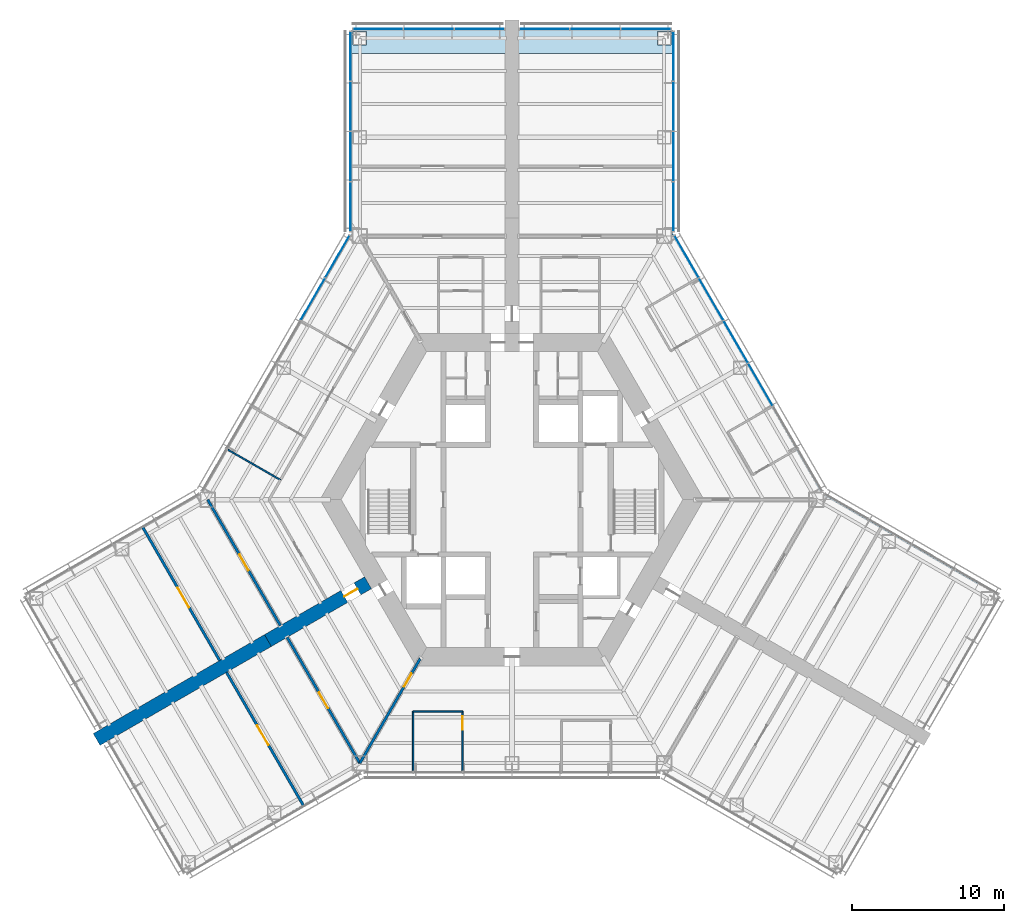
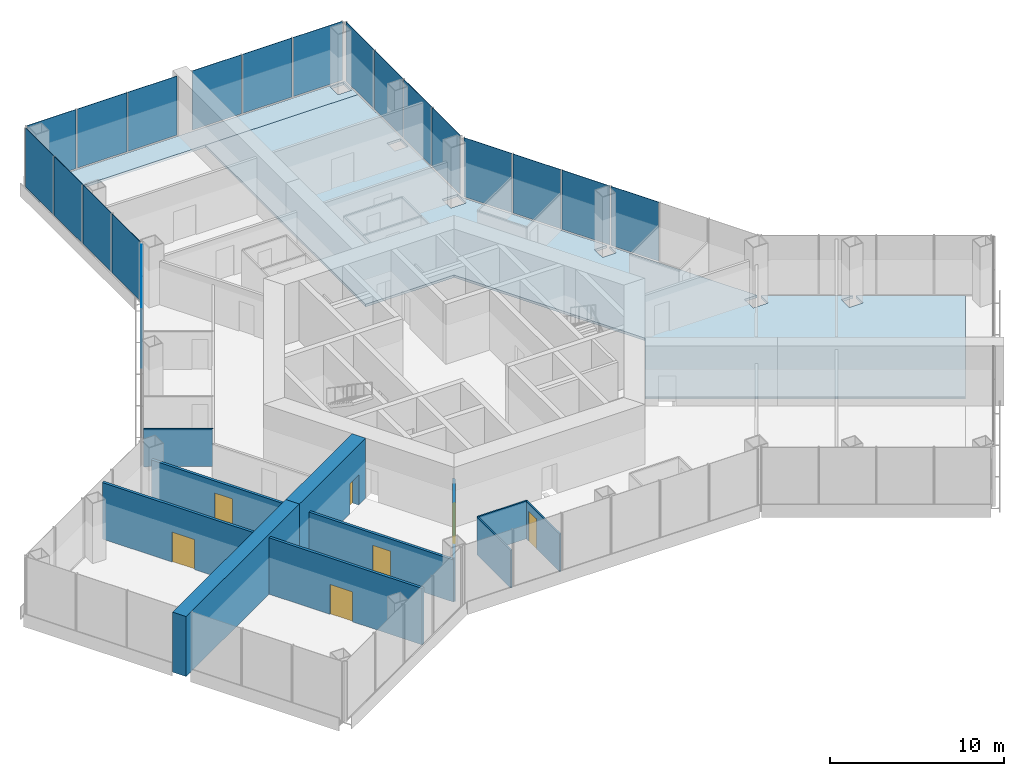
# One storey, part 10 of 17: 20 plates, 11 walls, 7 doors, 2 slabs, 7 openings, 6 elements without a shape of their own.
"""IFC4 building model written with IfcOpenShell, lengths in metres."""

from ifc_helpers import new_model, si_unit, direction, frame, frame_2d, origin, origin_2d, place, context, subcontext, project, spatial, polyline, rectangle, outline, extrude, material, layer, layer_set, type_object, element, fill, aggregate, save


model = new_model("IFC4")

# Units and contexts
model_context = context("Model", 3, precision=1e-05, world=origin(), true_north=direction((0.0, 1.0)))
body_context = subcontext(model_context, "Body", "Model", "MODEL_VIEW")
ifc_project = project(units=[si_unit("LENGTHUNIT", "METRE"), si_unit("AREAUNIT", "SQUARE_METRE"), si_unit("VOLUMEUNIT", "CUBIC_METRE"), si_unit("PLANEANGLEUNIT", "RADIAN"), si_unit("MASSUNIT", "GRAM", prefix="KILO")], contexts=[model_context])

# Site, building, storey
site_placement = place(None, origin())
site = spatial("IfcSite", under=ifc_project, at=site_placement, CompositionType="ELEMENT")
building_placement = place(site_placement, origin())
building = spatial("IfcBuilding", under=site, at=building_placement, Name="Kasaneha Research Tower", CompositionType="ELEMENT")
storey_placement = place(building_placement, frame((0.0, 0.0, 47.800048828125)))
storey = spatial("IfcBuildingStorey", under=building, at=storey_placement, Name="L12", CompositionType="ELEMENT", Elevation=47.800048828125)

# Curtain wall, plates
ifc_material_1 = material(Name="Glass and aluminium", Category="aluminium")
curtain_wall_type = type_object("IfcCurtainWallType", Name="Dry laboratory curtain wall", PredefinedType="USERDEFINED", material=ifc_material_1)
curtain_wall_1_placement = place(storey_placement, origin())
curtain_wall_1 = element("IfcCurtainWall", 1, at=curtain_wall_1_placement, inside=storey, type_object=curtain_wall_type, Name="CW-L2 L12 run 07a", ObjectType="UNITISED CURTAIN WALL", PredefinedType="USERDEFINED")
ifc_material_2 = material(Name="Laminated double glazing", Category="glass")
ifc_layer_1 = layer(ifc_material_2, 0.028076171875)
ifc_layer_set_1 = layer_set([ifc_layer_1], Name="CW-L2 glazed panel")
plate_type = type_object("IfcPlateType", Name="CW-L2 glazed panel", PredefinedType="CURTAIN_PANEL", material=ifc_layer_set_1)
plate_1_placement = place(storey_placement, frame((16.331298828125, 7.554443359375, 0.06494140625), z_axis=(0.0, 0.0, 1.0), x_axis=(-0.49999996188, 0.866025425793, 0.0)))
plate_1 = element("IfcPlate", 2, at=plate_1_placement, type_object=plate_type, Name="CW-L2 panel 3", PredefinedType="CURTAIN_PANEL", context=body_context, shape_type="SweptSolid", body=[
    extrude(rectangle(XDim=3.181396484375, YDim=0.028076171875, at=origin_2d()), origin(), (0.0, 0.0, 1.0), 4.135009765625),
])
plate_2_placement = place(storey_placement, frame((14.7080078125, 10.365966796875, 0.06494140625), z_axis=(0.0, 0.0, 1.0), x_axis=(-0.49999996188, 0.866025425793, 0.0)))
plate_2 = element("IfcPlate", 3, at=plate_2_placement, type_object=plate_type, Name="CW-L2 panel 4", PredefinedType="CURTAIN_PANEL", context=body_context, shape_type="SweptSolid", body=[
    extrude(rectangle(XDim=3.181396484375, YDim=0.028076171875, at=origin_2d()), origin(), (0.0, 0.0, 1.0), 4.135009765625),
])
plate_3_placement = place(storey_placement, frame((13.084716796875, 13.177490234375, 0.06494140625), z_axis=(0.0, 0.0, 1.0), x_axis=(-0.49999996188, 0.866025425793, 0.0)))
plate_3 = element("IfcPlate", 4, at=plate_3_placement, type_object=plate_type, Name="CW-L2 panel 5", PredefinedType="CURTAIN_PANEL", context=body_context, shape_type="SweptSolid", body=[
    extrude(rectangle(XDim=3.181396484375, YDim=0.028076171875, at=origin_2d()), origin(), (0.0, 0.0, 1.0), 4.135009765625),
])
plate_4_placement = place(storey_placement, frame((11.4697265625, 15.974853515625, 0.06494140625), z_axis=(0.0, 0.0, 1.0), x_axis=(-0.49999996188, 0.866025425793, 0.0)))
plate_4 = element("IfcPlate", 5, at=plate_4_placement, type_object=plate_type, Name="CW-L2 panel 6", PredefinedType="CURTAIN_PANEL", context=body_context, shape_type="SweptSolid", body=[
    extrude(rectangle(XDim=3.14892578125, YDim=0.028076171875, at=origin_2d()), origin(), (0.0, 0.0, 1.0), 4.135009765625),
])
aggregate(curtain_wall_1, [plate_1, plate_2, plate_3, plate_4])

curtain_wall_2_placement = place(storey_placement, origin())
curtain_wall_2 = element("IfcCurtainWall", 6, at=curtain_wall_2_placement, inside=storey, type_object=curtain_wall_type, Name="CW-L2 L12 run 08a", ObjectType="UNITISED CURTAIN WALL", PredefinedType="USERDEFINED")
plate_5_placement = place(storey_placement, frame((10.60009765625, 19.25244140625, 0.06494140625), z_axis=(0.0, 0.0, 1.0), x_axis=(0.0, 1.0, 0.0)))
plate_5 = element("IfcPlate", 7, at=plate_5_placement, type_object=plate_type, Name="CW-L2 panel 1", PredefinedType="CURTAIN_PANEL", context=body_context, shape_type="SweptSolid", body=[
    extrude(rectangle(XDim=3.21240234375, YDim=0.028076171875, at=origin_2d()), origin(), (0.0, 0.0, 1.0), 4.135009765625),
])
plate_6_placement = place(storey_placement, frame((10.60009765625, 22.5458984375, 0.06494140625), z_axis=(0.0, 0.0, 1.0), x_axis=(0.0, 1.0, 0.0)))
plate_6 = element("IfcPlate", 8, at=plate_6_placement, type_object=plate_type, Name="CW-L2 panel 2", PredefinedType="CURTAIN_PANEL", context=body_context, shape_type="SweptSolid", body=[
    extrude(rectangle(XDim=3.244873046875, YDim=0.028076171875, at=origin_2d()), origin(), (0.0, 0.0, 1.0), 4.135009765625),
])
plate_7_placement = place(storey_placement, frame((10.60009765625, 25.855712890625, 0.06494140625), z_axis=(0.0, 0.0, 1.0), x_axis=(0.0, 1.0, 0.0)))
plate_7 = element("IfcPlate", 9, at=plate_7_placement, type_object=plate_type, Name="CW-L2 panel 3", PredefinedType="CURTAIN_PANEL", context=body_context, shape_type="SweptSolid", body=[
    extrude(rectangle(XDim=3.244873046875, YDim=0.028076171875, at=origin_2d()), origin(), (0.0, 0.0, 1.0), 4.135009765625),
])
plate_8_placement = place(storey_placement, frame((10.60009765625, 29.1494140625, 0.06494140625), z_axis=(0.0, 0.0, 1.0), x_axis=(0.0, 1.0, 0.0)))
plate_8 = element("IfcPlate", 10, at=plate_8_placement, type_object=plate_type, Name="CW-L2 panel 4", PredefinedType="CURTAIN_PANEL", context=body_context, shape_type="SweptSolid", body=[
    extrude(rectangle(XDim=3.21240234375, YDim=0.028076171875, at=origin_2d()), origin(), (0.0, 0.0, 1.0), 4.135009765625),
])
aggregate(curtain_wall_2, [plate_5, plate_6, plate_7, plate_8])

curtain_wall_3_placement = place(storey_placement, origin())
curtain_wall_3 = element("IfcCurtainWall", 11, at=curtain_wall_3_placement, inside=storey, type_object=curtain_wall_type, Name="CW-L2 L12 run 09a", ObjectType="UNITISED CURTAIN WALL", PredefinedType="USERDEFINED")
plate_9_placement = place(storey_placement, frame((8.808837890625, 30.92041015625, 0.06494140625), z_axis=(0.0, 0.0, 1.0), x_axis=(-1.0, 0.0, 0.0)))
plate_9 = element("IfcPlate", 12, at=plate_9_placement, type_object=plate_type, Name="CW-L2 panel 1", PredefinedType="CURTAIN_PANEL", context=body_context, shape_type="SweptSolid", body=[
    extrude(rectangle(XDim=3.25244140625, YDim=0.028076171875, at=origin_2d()), origin(), (0.0, 0.0, 1.0), 4.135009765625),
])
plate_10_placement = place(storey_placement, frame((5.47509765625, 30.92041015625, 0.06494140625), z_axis=(0.0, 0.0, 1.0), x_axis=(-1.0, 0.0, 0.0)))
plate_10 = element("IfcPlate", 13, at=plate_10_placement, type_object=plate_type, Name="CW-L2 panel 2", PredefinedType="CURTAIN_PANEL", context=body_context, shape_type="SweptSolid", body=[
    extrude(rectangle(XDim=3.284912109375, YDim=0.028076171875, at=origin_2d()), origin(), (0.0, 0.0, 1.0), 4.135009765625),
])
plate_11_placement = place(storey_placement, frame((2.141357421875, 30.92041015625, 0.06494140625), z_axis=(0.0, 0.0, 1.0), x_axis=(-1.0, 0.0, 0.0)))
plate_11 = element("IfcPlate", 14, at=plate_11_placement, type_object=plate_type, Name="CW-L2 panel 3", PredefinedType="CURTAIN_PANEL", context=body_context, shape_type="SweptSolid", body=[
    extrude(rectangle(XDim=3.25244140625, YDim=0.028076171875, at=origin_2d()), origin(), (0.0, 0.0, 1.0), 4.135009765625),
])
aggregate(curtain_wall_3, [plate_9, plate_10, plate_11])

curtain_wall_4_placement = place(storey_placement, origin())
curtain_wall_4 = element("IfcCurtainWall", 15, at=curtain_wall_4_placement, inside=storey, type_object=curtain_wall_type, Name="CW-L2 L12 run 10a", ObjectType="UNITISED CURTAIN WALL", PredefinedType="USERDEFINED")
plate_12_placement = place(storey_placement, frame((-2.141357421875, 30.92041015625, 0.06494140625), z_axis=(0.0, 0.0, 1.0), x_axis=(-1.0, 0.0, 0.0)))
plate_12 = element("IfcPlate", 16, at=plate_12_placement, type_object=plate_type, Name="CW-L2 panel 1", PredefinedType="CURTAIN_PANEL", context=body_context, shape_type="SweptSolid", body=[
    extrude(rectangle(XDim=3.25244140625, YDim=0.028076171875, at=origin_2d()), origin(), (0.0, 0.0, 1.0), 4.135009765625),
])
plate_13_placement = place(storey_placement, frame((-5.47509765625, 30.92041015625, 0.06494140625), z_axis=(0.0, 0.0, 1.0), x_axis=(-1.0, 0.0, 0.0)))
plate_13 = element("IfcPlate", 17, at=plate_13_placement, type_object=plate_type, Name="CW-L2 panel 2", PredefinedType="CURTAIN_PANEL", context=body_context, shape_type="SweptSolid", body=[
    extrude(rectangle(XDim=3.284912109375, YDim=0.028076171875, at=origin_2d()), origin(), (0.0, 0.0, 1.0), 4.135009765625),
])
plate_14_placement = place(storey_placement, frame((-8.808837890625, 30.92041015625, 0.06494140625), z_axis=(0.0, 0.0, 1.0), x_axis=(-1.0, 0.0, 0.0)))
plate_14 = element("IfcPlate", 18, at=plate_14_placement, type_object=plate_type, Name="CW-L2 panel 3", PredefinedType="CURTAIN_PANEL", context=body_context, shape_type="SweptSolid", body=[
    extrude(rectangle(XDim=3.25244140625, YDim=0.028076171875, at=origin_2d()), origin(), (0.0, 0.0, 1.0), 4.135009765625),
])
aggregate(curtain_wall_4, [plate_12, plate_13, plate_14])

curtain_wall_5_placement = place(storey_placement, origin())
curtain_wall_5 = element("IfcCurtainWall", 19, at=curtain_wall_5_placement, inside=storey, type_object=curtain_wall_type, Name="CW-L2 L12 run 11a", ObjectType="UNITISED CURTAIN WALL", PredefinedType="USERDEFINED")
plate_15_placement = place(storey_placement, frame((-10.60009765625, 29.1494140625, 0.06494140625), z_axis=(0.0, 0.0, 1.0), x_axis=(0.0, -1.0, 0.0)))
plate_15 = element("IfcPlate", 20, at=plate_15_placement, type_object=plate_type, Name="CW-L2 panel 1", PredefinedType="CURTAIN_PANEL", context=body_context, shape_type="SweptSolid", body=[
    extrude(rectangle(XDim=3.21240234375, YDim=0.028076171875, at=origin_2d()), origin(), (0.0, 0.0, 1.0), 4.135009765625),
])
plate_16_placement = place(storey_placement, frame((-10.60009765625, 25.855712890625, 0.06494140625), z_axis=(0.0, 0.0, 1.0), x_axis=(0.0, -1.0, 0.0)))
plate_16 = element("IfcPlate", 21, at=plate_16_placement, type_object=plate_type, Name="CW-L2 panel 2", PredefinedType="CURTAIN_PANEL", context=body_context, shape_type="SweptSolid", body=[
    extrude(rectangle(XDim=3.244873046875, YDim=0.028076171875, at=origin_2d()), origin(), (0.0, 0.0, 1.0), 4.135009765625),
])
plate_17_placement = place(storey_placement, frame((-10.60009765625, 22.5458984375, 0.06494140625), z_axis=(0.0, 0.0, 1.0), x_axis=(0.0, -1.0, 0.0)))
plate_17 = element("IfcPlate", 22, at=plate_17_placement, type_object=plate_type, Name="CW-L2 panel 3", PredefinedType="CURTAIN_PANEL", context=body_context, shape_type="SweptSolid", body=[
    extrude(rectangle(XDim=3.244873046875, YDim=0.028076171875, at=origin_2d()), origin(), (0.0, 0.0, 1.0), 4.135009765625),
])
plate_18_placement = place(storey_placement, frame((-10.60009765625, 19.25244140625, 0.06494140625), z_axis=(0.0, 0.0, 1.0), x_axis=(0.0, -1.0, 0.0)))
plate_18 = element("IfcPlate", 23, at=plate_18_placement, type_object=plate_type, Name="CW-L2 panel 4", PredefinedType="CURTAIN_PANEL", context=body_context, shape_type="SweptSolid", body=[
    extrude(rectangle(XDim=3.21240234375, YDim=0.028076171875, at=origin_2d()), origin(), (0.0, 0.0, 1.0), 4.135009765625),
])
aggregate(curtain_wall_5, [plate_15, plate_16, plate_17, plate_18])

curtain_wall_6_placement = place(storey_placement, origin())
curtain_wall_6 = element("IfcCurtainWall", 24, at=curtain_wall_6_placement, inside=storey, type_object=curtain_wall_type, Name="CW-L2 L12 run 12a", ObjectType="UNITISED CURTAIN WALL", PredefinedType="USERDEFINED")
plate_19_placement = place(storey_placement, frame((-11.4697265625, 15.974853515625, 0.06494140625), z_axis=(0.0, 0.0, 1.0), x_axis=(-0.49999996188, -0.866025425793, 0.0)))
plate_19 = element("IfcPlate", 25, at=plate_19_placement, type_object=plate_type, Name="CW-L2 panel 1", PredefinedType="CURTAIN_PANEL", context=body_context, shape_type="SweptSolid", body=[
    extrude(rectangle(XDim=3.14892578125, YDim=0.028076171875, at=origin_2d()), origin(), (0.0, 0.0, 1.0), 4.135009765625),
])
plate_20_placement = place(storey_placement, frame((-13.084716796875, 13.177490234375, 0.06494140625), z_axis=(0.0, 0.0, 1.0), x_axis=(-0.49999996188, -0.866025425793, 0.0)))
plate_20 = element("IfcPlate", 26, at=plate_20_placement, type_object=plate_type, Name="CW-L2 panel 2", PredefinedType="CURTAIN_PANEL", context=body_context, shape_type="SweptSolid", body=[
    extrude(rectangle(XDim=3.181396484375, YDim=0.028076171875, at=origin_2d()), origin(), (0.0, 0.0, 1.0), 4.135009765625),
])
aggregate(curtain_wall_6, [plate_19, plate_20])

# Slabs
ifc_material_3 = material(Name="Concrete Fc24", Category="concrete")
ifc_layer_2 = layer(ifc_material_3, 0.169921875)
ifc_layer_set_2 = layer_set([ifc_layer_2], Name="Floor slab 170")
slab_type = type_object("IfcSlabType", Name="Floor slab 170", PredefinedType="FLOOR", material=ifc_layer_set_2)
slab_1_placement = place(storey_placement, frame((0.0, 0.0, -0.170166015625)))
element("IfcSlab", 27, at=slab_1_placement, inside=storey, type_object=slab_type, Name="Floor slab L12 3", PredefinedType="FLOOR", context=body_context, shape_type="SweptSolid", body=[
    extrude(outline(polyline([(10.550048828125, 29.310546875), (0.449951171875, 29.310546875), (0.449951171875, 29.320556640625), (-0.449951171875, 29.320556640625), (-0.449951171875, 29.310546875), (-10.550048828125, 29.310546875), (-10.550048828125, 30.87060546875), (10.550048828125, 30.87060546875), (10.550048828125, 29.310546875)]), holes=[polyline([(-9.550048828125, 29.87060546875), (-9.550048828125, 30.7705078125), (-10.449951171875, 30.7705078125), (-10.449951171875, 29.87060546875), (-9.550048828125, 29.87060546875)]), polyline([(9.550048828125, 29.87060546875), (10.449951171875, 29.87060546875), (10.449951171875, 30.7705078125), (9.550048828125, 30.7705078125), (9.550048828125, 29.87060546875)])]), origin(), (0.0, 0.0, 1.0), 0.170166015625),
])
slab_2_placement = place(storey_placement, frame((0.0, 0.0, -0.170166015625)))
element("IfcSlab", 28, at=slab_2_placement, inside=storey, type_object=slab_type, Name="Floor slab L12 5", PredefinedType="FLOOR", context=body_context, shape_type="SweptSolid", body=[
    extrude(outline(polyline([(9.686279296875, -5.07275390625), (12.614990234375, 0.0), (6.3076171875, 10.925048828125), (0.449951171875, 10.925048828125), (0.449951171875, 29.310546875), (10.550048828125, 29.310546875), (10.550048828125, 17.4677734375), (15.375244140625, 9.1103515625), (14.550048828125, 9.1103515625), (14.550048828125, 8.210205078125), (15.449951171875, 8.210205078125), (15.449951171875, 8.980712890625), (20.346435546875, 0.5), (19.5, 0.5), (19.5, -0.5), (20.5, -0.5), (20.5, 0.346435546875), (25.083740234375, -2.300048828125), (24.313232421875, -2.300048828125), (24.313232421875, -3.199951171875), (25.213134765625, -3.199951171875), (25.213134765625, -2.374755859375), (30.65869140625, -5.518798828125), (25.608642578125, -14.265625), (9.686279296875, -5.07275390625)]), holes=[polyline([(9.5, 16.820556640625), (10.5, 16.820556640625), (10.5, 17.820556640625), (9.5, 17.820556640625), (9.5, 16.820556640625)]), polyline([(9.550048828125, 23.37060546875), (10.449951171875, 23.37060546875), (10.449951171875, 24.2705078125), (9.550048828125, 24.2705078125), (9.550048828125, 23.37060546875)])]), origin(), (0.0, 0.0, 1.0), 0.170166015625),
])

# Wall, opening, door
ifc_material_4 = material(Name="Gypsum board on steel studs, two layers each side", Category="steel")
ifc_layer_3 = layer(ifc_material_4, 0.175048828125)
ifc_layer_set_3 = layer_set([ifc_layer_3], Name="Laboratory fire partition 175")
wall_type_1 = type_object("IfcWallType", Name="Laboratory fire partition 175", PredefinedType="PARTITIONING", material=ifc_layer_set_3)
wall_1_placement = place(storey_placement, frame((-15.22509765625, -8.2705078125, 0.0), z_axis=(0.0, 0.0, 1.0), x_axis=(-0.499993908199, 0.866028920859, 0.0)))
wall_1 = element("IfcWall", 29, at=wall_1_placement, inside=storey, type_object=wall_type_1, Name="Laboratory fire partition LABB-N L12", PredefinedType="PARTITIONING", context=body_context, shape_type="SweptSolid", body=[
    extrude(rectangle(XDim=9.5498046875, YDim=0.175048828125, at=frame_2d((4.77490234375, 0.0))), origin(), (0.0, 0.0, 1.0), 2.949951171875),
])
opening_1_placement = place(wall_1_placement, frame((4.175048828125, 0.0, 0.0)))
opening_1 = element("IfcOpeningElement", 30, at=opening_1_placement, cuts=wall_1, Name="Opening L12-D38", PredefinedType="OPENING", context=body_context, shape_type="SweptSolid", body=[
    extrude(rectangle(XDim=1.199951171875, YDim=2.10009765625, at=frame_2d((0.60009765625, 1.050048828125))), frame((0.0, 0.09765625, 0.0), z_axis=(0.0, -1.0, 0.0), x_axis=(1.0, 0.0, 0.0)), (0.0, 0.0, 1.0), 0.195068359375),
])
ifc_material_5 = material(Name="Steel", Category="steel")
door_type_1 = type_object("IfcDoorType", Name="Laboratory door FD60 1200x2100", OperationType="DOUBLE_DOOR_SINGLE_SWING", PredefinedType="DOOR", material=ifc_material_5)
door_1_placement = place(opening_1_placement, origin())
door_1 = element("IfcDoor", 31, at=door_1_placement, inside=storey, type_object=door_type_1, Name="Laboratory door L12-D38", OperationType="DOUBLE_DOOR_SINGLE_SWING", OverallHeight=2.10009765625, OverallWidth=1.199951171875, PredefinedType="DOOR", context=body_context, shape_type="SweptSolid", body=[
    extrude(rectangle(XDim=1.199951171875, YDim=2.10009765625, at=frame_2d((0.60009765625, 1.050048828125))), frame((0.0, 0.02490234375, 0.0), z_axis=(0.0, -1.0, 0.0), x_axis=(1.0, 0.0, 0.0)), (0.0, 0.0, 1.0), 0.050048828125),
])
fill(opening_1, door_1)

wall_2_placement = place(storey_placement, frame((-19.208740234375, -10.570556640625, 0.0), z_axis=(0.0, 0.0, 1.0), x_axis=(-0.500005203629, 0.866022399447, 0.0)))
wall_2 = element("IfcWall", 32, at=wall_2_placement, inside=storey, type_object=wall_type_1, Name="Laboratory fire partition INSB-N L12", PredefinedType="PARTITIONING", context=body_context, shape_type="SweptSolid", body=[
    extrude(rectangle(XDim=10.14013671875, YDim=0.175048828125, at=frame_2d((5.070068359375, 0.0))), origin(), (0.0, 0.0, 1.0), 3.949951171875),
])
opening_2_placement = place(wall_2_placement, frame((4.02490234375, 0.0, 0.0)))
opening_2 = element("IfcOpeningElement", 33, at=opening_2_placement, cuts=wall_2, Name="Opening L12-D43", PredefinedType="OPENING", context=body_context, shape_type="SweptSolid", body=[
    extrude(rectangle(XDim=1.5, YDim=2.10009765625, at=frame_2d((0.75, 1.050048828125))), frame((0.0, 0.09765625, 0.0), z_axis=(0.0, -1.0, 0.0), x_axis=(1.0, 0.0, 0.0)), (0.0, 0.0, 1.0), 0.195068359375),
])
ifc_material_6 = material(Name="Steel", Category="steel")
door_type_2 = type_object("IfcDoorType", Name="Laboratory door FD60 1500x2100", OperationType="DOUBLE_DOOR_SINGLE_SWING", PredefinedType="DOOR", material=ifc_material_6)
door_2_placement = place(opening_2_placement, origin())
door_2 = element("IfcDoor", 34, at=door_2_placement, inside=storey, type_object=door_type_2, Name="Instrument room door L12-D43", OperationType="DOUBLE_DOOR_SINGLE_SWING", OverallHeight=2.10009765625, OverallWidth=1.5, PredefinedType="DOOR", context=body_context, shape_type="SweptSolid", body=[
    extrude(rectangle(XDim=1.5, YDim=2.10009765625, at=frame_2d((0.75, 1.050048828125))), frame((0.0, 0.02490234375, 0.0), z_axis=(0.0, -1.0, 0.0), x_axis=(1.0, 0.0, 0.0)), (0.0, 0.0, 1.0), 0.050048828125),
])
fill(opening_2, door_2)

wall_3_placement = place(storey_placement, frame((-14.77490234375, -9.050048828125, 0.0), z_axis=(0.0, 0.0, 1.0), x_axis=(0.499993908199, -0.866028920859, 0.0)))
wall_3 = element("IfcWall", 35, at=wall_3_placement, inside=storey, type_object=wall_type_1, Name="Laboratory fire partition LABB-S L12", PredefinedType="PARTITIONING", context=body_context, shape_type="SweptSolid", body=[
    extrude(rectangle(XDim=9.5498046875, YDim=0.175048828125, at=frame_2d((4.77490234375, 0.0))), origin(), (0.0, 0.0, 1.0), 2.949951171875),
])
opening_3_placement = place(wall_3_placement, frame((4.175048828125, 0.0, 0.0)))
opening_3 = element("IfcOpeningElement", 36, at=opening_3_placement, cuts=wall_3, Name="Opening L12-D44", PredefinedType="OPENING", context=body_context, shape_type="SweptSolid", body=[
    extrude(rectangle(XDim=1.199951171875, YDim=2.10009765625, at=frame_2d((0.60009765625, 1.050048828125))), frame((0.0, 0.09765625, 0.0), z_axis=(0.0, -1.0, 0.0), x_axis=(1.0, 0.0, 0.0)), (0.0, 0.0, 1.0), 0.195068359375),
])
door_3_placement = place(opening_3_placement, origin())
door_3 = element("IfcDoor", 37, at=door_3_placement, inside=storey, type_object=door_type_1, Name="Laboratory door L12-D44", OperationType="DOUBLE_DOOR_SINGLE_SWING", OverallHeight=2.10009765625, OverallWidth=1.199951171875, PredefinedType="DOOR", context=body_context, shape_type="SweptSolid", body=[
    extrude(rectangle(XDim=1.199951171875, YDim=2.10009765625, at=frame_2d((0.60009765625, 1.050048828125))), frame((0.0, 0.02490234375, 0.0), z_axis=(0.0, -1.0, 0.0), x_axis=(1.0, 0.0, 0.0)), (0.0, 0.0, 1.0), 0.050048828125),
])
fill(opening_3, door_3)

wall_4_placement = place(storey_placement, frame((-18.7587890625, -11.349853515625, 0.0), z_axis=(0.0, 0.0, 1.0), x_axis=(0.500005203629, -0.866022399447, 0.0)))
wall_4 = element("IfcWall", 38, at=wall_4_placement, inside=storey, type_object=wall_type_1, Name="Laboratory fire partition INSB-S L12", PredefinedType="PARTITIONING", context=body_context, shape_type="SweptSolid", body=[
    extrude(rectangle(XDim=10.14013671875, YDim=0.175048828125, at=frame_2d((5.070068359375, 0.0))), origin(), (0.0, 0.0, 1.0), 3.949951171875),
])
opening_4_placement = place(wall_4_placement, frame((4.02490234375, 0.0, 0.0)))
opening_4 = element("IfcOpeningElement", 39, at=opening_4_placement, cuts=wall_4, Name="Opening L12-D45", PredefinedType="OPENING", context=body_context, shape_type="SweptSolid", body=[
    extrude(rectangle(XDim=1.5, YDim=2.10009765625, at=frame_2d((0.75, 1.050048828125))), frame((0.0, 0.09765625, 0.0), z_axis=(0.0, -1.0, 0.0), x_axis=(1.0, 0.0, 0.0)), (0.0, 0.0, 1.0), 0.195068359375),
])
door_4_placement = place(opening_4_placement, origin())
door_4 = element("IfcDoor", 40, at=door_4_placement, inside=storey, type_object=door_type_2, Name="Instrument room door L12-D45", OperationType="DOUBLE_DOOR_SINGLE_SWING", OverallHeight=2.10009765625, OverallWidth=1.5, PredefinedType="DOOR", context=body_context, shape_type="SweptSolid", body=[
    extrude(rectangle(XDim=1.5, YDim=2.10009765625, at=frame_2d((0.75, 1.050048828125))), frame((0.0, 0.02490234375, 0.0), z_axis=(0.0, -1.0, 0.0), x_axis=(1.0, 0.0, 0.0)), (0.0, 0.0, 1.0), 0.050048828125),
])
fill(opening_4, door_4)

# Walls
ifc_material_7 = material(Name="Gypsum board on steel studs, one layer each side", Category="steel")
ifc_layer_4 = layer(ifc_material_7, 0.10009765625)
ifc_layer_set_4 = layer_set([ifc_layer_4], Name="Office partition 100")
wall_type_2 = type_object("IfcWallType", Name="Office partition 100", PredefinedType="PARTITIONING", material=ifc_layer_set_4)
wall_5_placement = place(storey_placement, frame((-15.217041015625, 1.29345703125, 0.0), z_axis=(0.0, 0.0, 1.0), x_axis=(-0.866583023507, 0.499032928142, 0.0)))
element("IfcWall", 41, at=wall_5_placement, inside=storey, type_object=wall_type_2, Name="Office partition FBN07 L12", PredefinedType="PARTITIONING", context=body_context, shape_type="SweptSolid", body=[
    extrude(rectangle(XDim=3.975341796875, YDim=0.10009765625, at=frame_2d((1.98779296875, 0.0))), origin(), (0.0, 0.0, 1.0), 2.64990234375),
])
wall_6_placement = place(storey_placement, frame((-6.492919921875, -17.800537109375, 0.0), z_axis=(0.0, 0.0, 1.0), x_axis=(0.0, 1.0, 0.0)))
element("IfcWall", 42, at=wall_6_placement, inside=storey, type_object=wall_type_2, Name="Office partition FCS01 L12", PredefinedType="PARTITIONING", context=body_context, shape_type="SweptSolid", body=[
    extrude(rectangle(XDim=3.880126953125, YDim=0.10009765625, at=frame_2d((1.93994140625, 0.0))), origin(), (0.0, 0.0, 1.0), 2.64990234375),
])
wall_7_placement = place(storey_placement, frame((-6.492919921875, -13.92041015625, 0.0), z_axis=(0.0, 0.0, 1.0), x_axis=(1.0, 0.0, 0.0)))
element("IfcWall", 43, at=wall_7_placement, inside=storey, type_object=wall_type_2, Name="Office partition FCS02 L12", PredefinedType="PARTITIONING", context=body_context, shape_type="SweptSolid", body=[
    extrude(rectangle(XDim=3.24658203125, YDim=0.10009765625, at=frame_2d((1.623291015625, 0.0))), origin(), (0.0, 0.0, 1.0), 2.64990234375),
])

# Wall, opening, door
wall_8_placement = place(storey_placement, frame((-3.246337890625, -13.92041015625, 0.0), z_axis=(0.0, 0.0, 1.0), x_axis=(0.0, -1.0, 0.0)))
wall_8 = element("IfcWall", 44, at=wall_8_placement, inside=storey, type_object=wall_type_2, Name="Office partition FCS03 L12", PredefinedType="PARTITIONING", context=body_context, shape_type="SweptSolid", body=[
    extrude(rectangle(XDim=3.880126953125, YDim=0.10009765625, at=frame_2d((1.93994140625, 0.0))), origin(), (0.0, 0.0, 1.0), 2.64990234375),
])
opening_5_placement = place(wall_8_placement, frame((0.300048828125, 0.0, 0.0)))
opening_5 = element("IfcOpeningElement", 45, at=opening_5_placement, cuts=wall_8, Name="Opening L12-D49", PredefinedType="OPENING", context=body_context, shape_type="SweptSolid", body=[
    extrude(rectangle(XDim=0.89990234375, YDim=2.10009765625, at=frame_2d((0.449951171875, 1.050048828125))), frame((0.0, 0.06005859375, 0.0), z_axis=(0.0, -1.0, 0.0), x_axis=(1.0, 0.0, 0.0)), (0.0, 0.0, 1.0), 0.1201171875),
])
ifc_material_8 = material(Name="Timber veneer", Category="wood")
door_type_3 = type_object("IfcDoorType", Name="Office door 900x2100", OperationType="SINGLE_SWING_LEFT", PredefinedType="DOOR", material=ifc_material_8)
door_5_placement = place(opening_5_placement, origin())
door_5 = element("IfcDoor", 46, at=door_5_placement, inside=storey, type_object=door_type_3, Name="Microscopy room door L12-D49", OperationType="SINGLE_SWING_LEFT", OverallHeight=2.10009765625, OverallWidth=0.89990234375, PredefinedType="DOOR", context=body_context, shape_type="SweptSolid", body=[
    extrude(rectangle(XDim=0.89990234375, YDim=2.10009765625, at=frame_2d((0.449951171875, 1.050048828125))), frame((0.0, 0.02490234375, 0.0), z_axis=(0.0, -1.0, 0.0), x_axis=(1.0, 0.0, 0.0)), (0.0, 0.0, 1.0), 0.050048828125),
])
fill(opening_5, door_5)

ifc_material_9 = material(Name="Concrete Fc100", Category="concrete")
ifc_layer_5 = layer(ifc_material_9, 0.89990234375)
ifc_layer_set_5 = layer_set([ifc_layer_5], Name="Spine wall 900 Fc100")
wall_type_3 = type_object("IfcWallType", Name="Spine wall 900 Fc100", PredefinedType="SHEAR", material=ifc_layer_set_5)
wall_9_placement = place(storey_placement, frame((-9.46142578125, -5.46240234375, 0.0), z_axis=(0.0, 0.0, 1.0), x_axis=(-0.866019116917, -0.500010889016, 0.0)))
wall_9 = element("IfcWall", 47, at=wall_9_placement, inside=storey, type_object=wall_type_3, Name="Spine wall B L12", PredefinedType="SHEAR", context=body_context, shape_type="SweptSolid", body=[
    extrude(rectangle(XDim=7.595458984375, YDim=0.89990234375, at=frame_2d((3.7978515625, 0.0))), origin(), (0.0, 0.0, 1.0), 4.199951171875),
])
opening_6_placement = place(wall_9_placement, frame((0.800048828125, 0.0, 0.0)))
opening_6 = element("IfcOpeningElement", 48, at=opening_6_placement, cuts=wall_9, Name="Opening L12-D18", PredefinedType="OPENING", context=body_context, shape_type="SweptSolid", body=[
    extrude(rectangle(XDim=1.0, YDim=2.10009765625, at=frame_2d((0.5, 1.050048828125))), frame((0.0, 0.4599609375, 0.0), z_axis=(0.0, -1.0, 0.0), x_axis=(1.0, 0.0, 0.0)), (0.0, 0.0, 1.0), 0.919921875),
])
ifc_material_10 = material(Name="Steel", Category="steel")
door_type_4 = type_object("IfcDoorType", Name="Specified fire door FD60 1000x2100", OperationType="NOTDEFINED", PredefinedType="DOOR", material=ifc_material_10)
door_6_placement = place(opening_6_placement, origin())
door_6 = element("IfcDoor", 49, at=door_6_placement, inside=storey, type_object=door_type_4, Name="Spine doorway B L12-D18", OperationType="SINGLE_SWING_LEFT", OverallHeight=2.10009765625, OverallWidth=1.0, PredefinedType="DOOR", context=body_context, shape_type="SweptSolid", body=[
    extrude(rectangle(XDim=1.0, YDim=2.10009765625, at=frame_2d((0.5, 1.050048828125))), frame((0.0, 0.02490234375, 0.0), z_axis=(0.0, -1.0, 0.0), x_axis=(1.0, 0.0, 0.0)), (0.0, 0.0, 1.0), 0.050048828125),
])
fill(opening_6, door_6)

# Wall
wall_10_placement = place(storey_placement, frame((-16.039306640625, -9.26025390625, 0.0), z_axis=(0.0, 0.0, 1.0), x_axis=(-0.866024837091, -0.50000098154, 0.0)))
element("IfcWall", 50, at=wall_10_placement, inside=storey, type_object=wall_type_3, Name="Spine wall B wing L12", PredefinedType="SHEAR", context=body_context, shape_type="SweptSolid", body=[
    extrude(rectangle(XDim=13.0, YDim=0.89990234375, at=frame_2d((6.5, 0.0))), origin(), (0.0, 0.0, 1.0), 4.199951171875),
])

# Wall, opening, door
ifc_material_11 = material(Name="Gypsum board on steel studs, two layers each side", Category="steel")
ifc_layer_6 = layer(ifc_material_11, 0.175048828125)
ifc_layer_set_6 = layer_set([ifc_layer_6], Name="Tenancy fire partition 175")
wall_type_4 = type_object("IfcWallType", Name="Tenancy fire partition 175", PredefinedType="PARTITIONING", material=ifc_layer_set_6)
wall_11_placement = place(storey_placement, frame((-6.03515625, -10.453125, 0.0), z_axis=(0.0, 0.0, 1.0), x_axis=(-0.499993402427, -0.866029212861, 0.0)))
wall_11 = element("IfcWall", 51, at=wall_11_placement, inside=storey, type_object=wall_type_4, Name="Tenancy fire partition T240 L12", PredefinedType="PARTITIONING", context=body_context, shape_type="SweptSolid", body=[
    extrude(outline(polyline([(-0.050537109375, -0.08740234375), (1.12939453125, -0.08740234375), (2.12939453125, -0.08740234375), (7.9296875, -0.08740234375), (7.9296875, 0.08740234375), (2.12939453125, 0.08740234375), (1.12939453125, 0.08740234375), (0.050537109375, 0.08740234375), (-0.050537109375, -0.08740234375)])), origin(), (0.0, 0.0, 1.0), 3.050048828125),
])
opening_7_placement = place(wall_11_placement, frame((1.12939453125, 0.0, 0.0)))
opening_7 = element("IfcOpeningElement", 52, at=opening_7_placement, cuts=wall_11, Name="Opening L12-D27", PredefinedType="OPENING", context=body_context, shape_type="SweptSolid", body=[
    extrude(rectangle(XDim=1.0, YDim=2.10009765625, at=frame_2d((0.5, 1.050048828125))), frame((0.0, 0.09765625, 0.0), z_axis=(0.0, -1.0, 0.0), x_axis=(1.0, 0.0, 0.0)), (0.0, 0.0, 1.0), 0.195068359375),
])
ifc_material_12 = material(Name="Steel", Category="steel")
door_type_5 = type_object("IfcDoorType", Name="Suite entrance door FD60 1000x2100", OperationType="NOTDEFINED", PredefinedType="DOOR", material=ifc_material_12)
door_7_placement = place(opening_7_placement, origin())
door_7 = element("IfcDoor", 53, at=door_7_placement, inside=storey, type_object=door_type_5, Name="Connecting door L12-D27", OperationType="SINGLE_SWING_LEFT", OverallHeight=2.10009765625, OverallWidth=1.0, PredefinedType="DOOR", context=body_context, shape_type="SweptSolid", body=[
    extrude(rectangle(XDim=1.0, YDim=2.10009765625, at=frame_2d((0.5, 1.050048828125))), frame((0.0, 0.02490234375, 0.0), z_axis=(0.0, -1.0, 0.0), x_axis=(1.0, 0.0, 0.0)), (0.0, 0.0, 1.0), 0.050048828125),
])
fill(opening_7, door_7)

save(model, "model.ifc")
